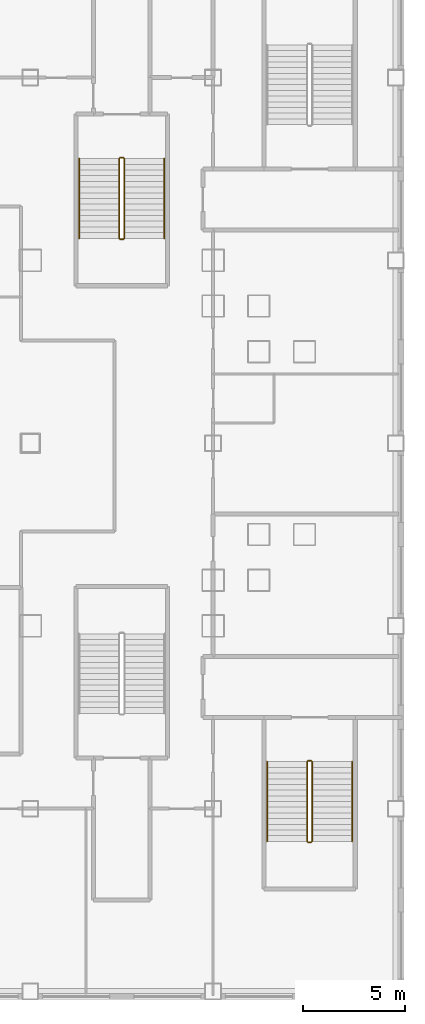
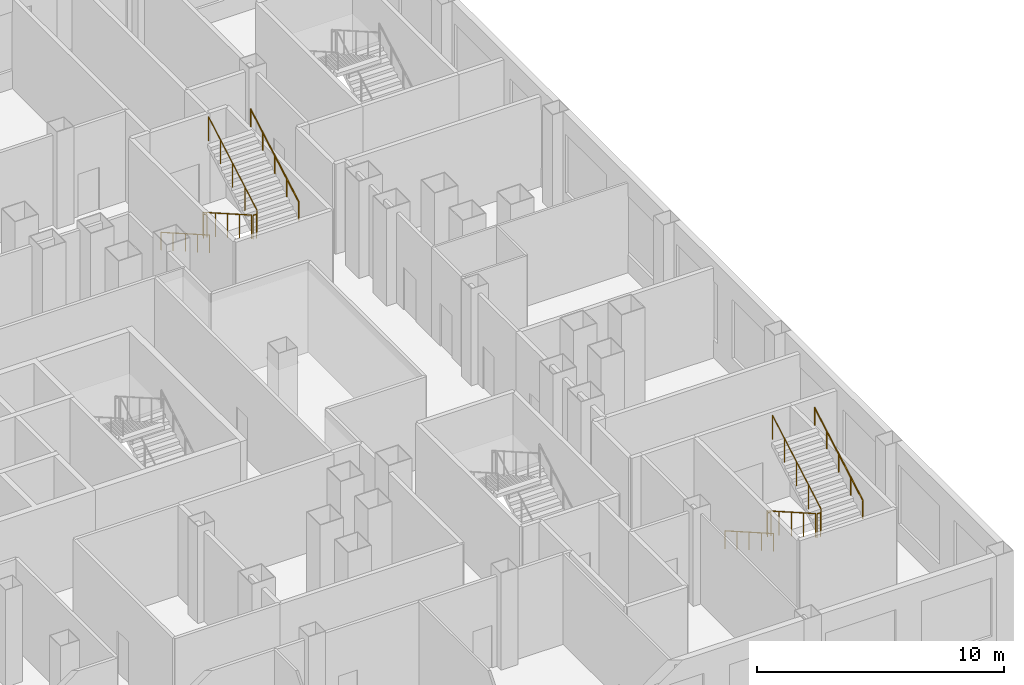
# One storey, part 22 of 23: 12 railings.
"""IFC4 building model written with IfcOpenShell, lengths in metres."""

from ifc_helpers import new_model, si_unit, direction, frame, origin, origin_2d, place, context, subcontext, project, spatial, circle, extrude, material, type_object, element, save


model = new_model("IFC4")

# Units and contexts
model_context = context("Model", 3, precision=1e-05, world=origin(), true_north=direction((0.0, 1.0)))
body_context = subcontext(model_context, "Body", "Model", "MODEL_VIEW")
ifc_project = project(units=[si_unit("LENGTHUNIT", "METRE"), si_unit("AREAUNIT", "SQUARE_METRE"), si_unit("VOLUMEUNIT", "CUBIC_METRE"), si_unit("PLANEANGLEUNIT", "RADIAN"), si_unit("MASSUNIT", "GRAM", prefix="KILO")], contexts=[model_context])

# Site, building, storey
site_placement = place(None, origin())
site = spatial("IfcSite", under=ifc_project, at=site_placement, CompositionType="ELEMENT")
building_placement = place(site_placement, origin())
building = spatial("IfcBuilding", under=site, at=building_placement, Name="Caravel Reach Hotel and Residences", CompositionType="ELEMENT")
storey_placement = place(building_placement, frame((0.0, 0.0, 24.0)))
storey = spatial("IfcBuildingStorey", under=building, at=storey_placement, Name="L04", CompositionType="ELEMENT", Elevation=24.0)

# Railings
ifc_material_1 = material(Name="Steel balustrade with glass infill", Category="steel")
railing_type_1 = type_object("IfcRailingType", Name="Guard 1200", PredefinedType="GUARDRAIL", material=ifc_material_1)
railing_1_placement = place(storey_placement, frame((53.875, 41.010009765625, 0.159912109375)))
element("IfcRailing", 1, at=railing_1_placement, inside=storey, type_object=railing_type_1, Name="L04 ST-P2 stair guard 1", PredefinedType="GUARDRAIL", context=body_context, shape_type="SweptSolid", body=[
    extrude(circle(Radius=0.02392578125, at=origin_2d()), frame((0.0, 0.0, 1.17578125), z_axis=(0.0, -0.868239814368, 0.496144761885), x_axis=(1.0, 0.0, 0.0)), (0.0, 0.0, 1.0), 4.514892578125),
    extrude(circle(Radius=0.02099609375, at=origin_2d()), origin(), (0.0, 0.0, 1.0), 1.15185546875),
    extrude(circle(Radius=0.02099609375, at=origin_2d()), frame((0.0, -0.97998046875, 0.56005859375)), (0.0, 0.0, 1.0), 1.15185546875),
    extrude(circle(Radius=0.02099609375, at=origin_2d()), frame((0.0, -1.9599609375, 1.1201171875)), (0.0, 0.0, 1.0), 1.15185546875),
    extrude(circle(Radius=0.02099609375, at=origin_2d()), frame((0.0, -2.93994140625, 1.679931640625)), (0.0, 0.0, 1.0), 1.15185546875),
    extrude(circle(Radius=0.02099609375, at=origin_2d()), frame((0.0, -3.919921875, 2.239990234375)), (0.0, 0.0, 1.0), 1.15185546875),
])
railing_2_placement = place(storey_placement, frame((53.925048828125, 37.0400390625, 2.39990234375)))
element("IfcRailing", 2, at=railing_2_placement, inside=storey, type_object=railing_type_1, Name="L04 ST-P2 stair guard 2", PredefinedType="GUARDRAIL", context=body_context, shape_type="SweptSolid", body=[
    extrude(circle(Radius=0.02392578125, at=origin_2d()), frame((0.0, 0.0, 1.17578125), z_axis=(1.0, 0.0, 0.0), x_axis=(0.0, 1.0, 0.0)), (0.0, 0.0, 1.0), 0.14990234375),
    extrude(circle(Radius=0.02099609375, at=origin_2d()), origin(), (0.0, 0.0, 1.0), 1.15185546875),
    extrude(circle(Radius=0.02099609375, at=origin_2d()), frame((0.14990234375, 0.0, 0.0)), (0.0, 0.0, 1.0), 1.15185546875),
])
railing_3_placement = place(storey_placement, frame((54.125, 37.090087890625, 2.56005859375)))
element("IfcRailing", 3, at=railing_3_placement, inside=storey, type_object=railing_type_1, Name="L04 ST-P2 stair guard 3", PredefinedType="GUARDRAIL", context=body_context, shape_type="SweptSolid", body=[
    extrude(circle(Radius=0.02392578125, at=origin_2d()), frame((0.0, 0.0, 1.17578125), z_axis=(0.0, 0.868239814368, 0.496144761885), x_axis=(-1.0, 0.0, 0.0)), (0.0, 0.0, 1.0), 4.514892578125),
    extrude(circle(Radius=0.02099609375, at=origin_2d()), origin(), (0.0, 0.0, 1.0), 1.15185546875),
    extrude(circle(Radius=0.02099609375, at=origin_2d()), frame((0.0, 0.97998046875, 0.56005859375)), (0.0, 0.0, 1.0), 1.15185546875),
    extrude(circle(Radius=0.02099609375, at=origin_2d()), frame((0.0, 1.9599609375, 1.1201171875)), (0.0, 0.0, 1.0), 1.15185546875),
    extrude(circle(Radius=0.02099609375, at=origin_2d()), frame((0.0, 2.93994140625, 1.679931640625)), (0.0, 0.0, 1.0), 1.15185546875),
    extrude(circle(Radius=0.02099609375, at=origin_2d()), frame((0.0, 3.919921875, 2.239990234375)), (0.0, 0.0, 1.0), 1.15185546875),
])
railing_4_placement = place(storey_placement, frame((53.925048828125, 41.06005859375, 0.0)))
element("IfcRailing", 4, at=railing_4_placement, inside=storey, type_object=railing_type_1, Name="L04 ST-P2 stair guard 4", PredefinedType="GUARDRAIL", context=body_context, shape_type="SweptSolid", body=[
    extrude(circle(Radius=0.02392578125, at=origin_2d()), frame((0.0, 0.0, 1.17578125), z_axis=(1.0, 0.0, 0.0), x_axis=(0.0, 1.0, 0.0)), (0.0, 0.0, 1.0), 0.14990234375),
    extrude(circle(Radius=0.02099609375, at=origin_2d()), origin(), (0.0, 0.0, 1.0), 1.15185546875),
    extrude(circle(Radius=0.02099609375, at=origin_2d()), frame((0.14990234375, 0.0, 0.0)), (0.0, 0.0, 1.0), 1.15185546875),
])
railing_5_placement = place(storey_placement, frame((63.125, 11.31005859375, 0.159912109375)))
element("IfcRailing", 5, at=railing_5_placement, inside=storey, type_object=railing_type_1, Name="L04 ST-P7 stair guard 1", PredefinedType="GUARDRAIL", context=body_context, shape_type="SweptSolid", body=[
    extrude(circle(Radius=0.02392578125, at=origin_2d()), frame((0.0, 0.0, 1.17578125), z_axis=(0.0, -0.86825312469, 0.496121468458), x_axis=(1.0, 0.0, 0.0)), (0.0, 0.0, 1.0), 4.514892578125),
    extrude(circle(Radius=0.02099609375, at=origin_2d()), origin(), (0.0, 0.0, 1.0), 1.15185546875),
    extrude(circle(Radius=0.02099609375, at=origin_2d()), frame((0.0, -0.97998046875, 0.56005859375)), (0.0, 0.0, 1.0), 1.15185546875),
    extrude(circle(Radius=0.02099609375, at=origin_2d()), frame((0.0, -1.9599609375, 1.1201171875)), (0.0, 0.0, 1.0), 1.15185546875),
    extrude(circle(Radius=0.02099609375, at=origin_2d()), frame((0.0, -2.940185546875, 1.679931640625)), (0.0, 0.0, 1.0), 1.15185546875),
    extrude(circle(Radius=0.02099609375, at=origin_2d()), frame((0.0, -3.920166015625, 2.239990234375)), (0.0, 0.0, 1.0), 1.15185546875),
])
railing_6_placement = place(storey_placement, frame((63.175048828125, 7.340087890625, 2.39990234375)))
element("IfcRailing", 6, at=railing_6_placement, inside=storey, type_object=railing_type_1, Name="L04 ST-P7 stair guard 2", PredefinedType="GUARDRAIL", context=body_context, shape_type="SweptSolid", body=[
    extrude(circle(Radius=0.02392578125, at=origin_2d()), frame((0.0, 0.0, 1.17578125), z_axis=(1.0, 0.0, 0.0), x_axis=(0.0, 1.0, 0.0)), (0.0, 0.0, 1.0), 0.14990234375),
    extrude(circle(Radius=0.02099609375, at=origin_2d()), origin(), (0.0, 0.0, 1.0), 1.15185546875),
    extrude(circle(Radius=0.02099609375, at=origin_2d()), frame((0.14990234375, 0.0, 0.0)), (0.0, 0.0, 1.0), 1.15185546875),
])
railing_7_placement = place(storey_placement, frame((63.375, 7.389892578125, 2.56005859375)))
element("IfcRailing", 7, at=railing_7_placement, inside=storey, type_object=railing_type_1, Name="L04 ST-P7 stair guard 3", PredefinedType="GUARDRAIL", context=body_context, shape_type="SweptSolid", body=[
    extrude(circle(Radius=0.02392578125, at=origin_2d()), frame((0.0, 0.0, 1.17578125), z_axis=(0.0, 0.86825312469, 0.496121468458), x_axis=(-1.0, 0.0, 0.0)), (0.0, 0.0, 1.0), 4.514892578125),
    extrude(circle(Radius=0.02099609375, at=origin_2d()), origin(), (0.0, 0.0, 1.0), 1.15185546875),
    extrude(circle(Radius=0.02099609375, at=origin_2d()), frame((0.0, 0.97998046875, 0.56005859375)), (0.0, 0.0, 1.0), 1.15185546875),
    extrude(circle(Radius=0.02099609375, at=origin_2d()), frame((0.0, 1.9599609375, 1.1201171875)), (0.0, 0.0, 1.0), 1.15185546875),
    extrude(circle(Radius=0.02099609375, at=origin_2d()), frame((0.0, 2.940185546875, 1.679931640625)), (0.0, 0.0, 1.0), 1.15185546875),
    extrude(circle(Radius=0.02099609375, at=origin_2d()), frame((0.0, 3.920166015625, 2.239990234375)), (0.0, 0.0, 1.0), 1.15185546875),
])
railing_8_placement = place(storey_placement, frame((63.175048828125, 11.360107421875, 0.0)))
element("IfcRailing", 8, at=railing_8_placement, inside=storey, type_object=railing_type_1, Name="L04 ST-P7 stair guard 4", PredefinedType="GUARDRAIL", context=body_context, shape_type="SweptSolid", body=[
    extrude(circle(Radius=0.02392578125, at=origin_2d()), frame((0.0, 0.0, 1.17578125), z_axis=(1.0, 0.0, 0.0), x_axis=(0.0, 1.0, 0.0)), (0.0, 0.0, 1.0), 0.14990234375),
    extrude(circle(Radius=0.02099609375, at=origin_2d()), origin(), (0.0, 0.0, 1.0), 1.15185546875),
    extrude(circle(Radius=0.02099609375, at=origin_2d()), frame((0.14990234375, 0.0, 0.0)), (0.0, 0.0, 1.0), 1.15185546875),
])
ifc_material_2 = material(Name="Stainless steel handrail", Category="steel")
railing_type_2 = type_object("IfcRailingType", Name="Handrail 900", PredefinedType="HANDRAIL", material=ifc_material_2)
railing_9_placement = place(storey_placement, frame((51.905029296875, 41.010009765625, 0.159912109375)))
element("IfcRailing", 9, at=railing_9_placement, inside=storey, type_object=railing_type_2, Name="L04 ST-P2 stair handrail 1", PredefinedType="HANDRAIL", context=body_context, shape_type="SweptSolid", body=[
    extrude(circle(Radius=0.02392578125, at=origin_2d()), frame((0.0, 0.0, 0.8759765625), z_axis=(0.0, -0.868239814368, 0.496144761885), x_axis=(1.0, 0.0, 0.0)), (0.0, 0.0, 1.0), 4.514892578125),
    extrude(circle(Radius=0.02099609375, at=origin_2d()), origin(), (0.0, 0.0, 1.0), 0.851806640625),
    extrude(circle(Radius=0.02099609375, at=origin_2d()), frame((0.0, -0.97998046875, 0.56005859375)), (0.0, 0.0, 1.0), 0.851806640625),
    extrude(circle(Radius=0.02099609375, at=origin_2d()), frame((0.0, -1.9599609375, 1.1201171875)), (0.0, 0.0, 1.0), 0.851806640625),
    extrude(circle(Radius=0.02099609375, at=origin_2d()), frame((0.0, -2.93994140625, 1.679931640625)), (0.0, 0.0, 1.0), 0.851806640625),
    extrude(circle(Radius=0.02099609375, at=origin_2d()), frame((0.0, -3.919921875, 2.239990234375)), (0.0, 0.0, 1.0), 0.851806640625),
])
railing_10_placement = place(storey_placement, frame((56.094970703125, 37.090087890625, 2.56005859375)))
element("IfcRailing", 10, at=railing_10_placement, inside=storey, type_object=railing_type_2, Name="L04 ST-P2 stair handrail 2", PredefinedType="HANDRAIL", context=body_context, shape_type="SweptSolid", body=[
    extrude(circle(Radius=0.02392578125, at=origin_2d()), frame((0.0, 0.0, 0.8759765625), z_axis=(0.0, 0.868239814368, 0.496144761885), x_axis=(-1.0, 0.0, 0.0)), (0.0, 0.0, 1.0), 4.514892578125),
    extrude(circle(Radius=0.02099609375, at=origin_2d()), origin(), (0.0, 0.0, 1.0), 0.851806640625),
    extrude(circle(Radius=0.02099609375, at=origin_2d()), frame((0.0, 0.97998046875, 0.56005859375)), (0.0, 0.0, 1.0), 0.851806640625),
    extrude(circle(Radius=0.02099609375, at=origin_2d()), frame((0.0, 1.9599609375, 1.1201171875)), (0.0, 0.0, 1.0), 0.851806640625),
    extrude(circle(Radius=0.02099609375, at=origin_2d()), frame((0.0, 2.93994140625, 1.679931640625)), (0.0, 0.0, 1.0), 0.851806640625),
    extrude(circle(Radius=0.02099609375, at=origin_2d()), frame((0.0, 3.919921875, 2.239990234375)), (0.0, 0.0, 1.0), 0.851806640625),
])
railing_11_placement = place(storey_placement, frame((61.155029296875, 11.31005859375, 0.159912109375)))
element("IfcRailing", 11, at=railing_11_placement, inside=storey, type_object=railing_type_2, Name="L04 ST-P7 stair handrail 1", PredefinedType="HANDRAIL", context=body_context, shape_type="SweptSolid", body=[
    extrude(circle(Radius=0.02392578125, at=origin_2d()), frame((0.0, 0.0, 0.8759765625), z_axis=(0.0, -0.86825312469, 0.496121468458), x_axis=(1.0, 0.0, 0.0)), (0.0, 0.0, 1.0), 4.514892578125),
    extrude(circle(Radius=0.02099609375, at=origin_2d()), origin(), (0.0, 0.0, 1.0), 0.851806640625),
    extrude(circle(Radius=0.02099609375, at=origin_2d()), frame((0.0, -0.97998046875, 0.56005859375)), (0.0, 0.0, 1.0), 0.851806640625),
    extrude(circle(Radius=0.02099609375, at=origin_2d()), frame((0.0, -1.9599609375, 1.1201171875)), (0.0, 0.0, 1.0), 0.851806640625),
    extrude(circle(Radius=0.02099609375, at=origin_2d()), frame((0.0, -2.940185546875, 1.679931640625)), (0.0, 0.0, 1.0), 0.851806640625),
    extrude(circle(Radius=0.02099609375, at=origin_2d()), frame((0.0, -3.920166015625, 2.239990234375)), (0.0, 0.0, 1.0), 0.851806640625),
])
railing_12_placement = place(storey_placement, frame((65.344970703125, 7.389892578125, 2.56005859375)))
element("IfcRailing", 12, at=railing_12_placement, inside=storey, type_object=railing_type_2, Name="L04 ST-P7 stair handrail 2", PredefinedType="HANDRAIL", context=body_context, shape_type="SweptSolid", body=[
    extrude(circle(Radius=0.02392578125, at=origin_2d()), frame((0.0, 0.0, 0.8759765625), z_axis=(0.0, 0.86825312469, 0.496121468458), x_axis=(-1.0, 0.0, 0.0)), (0.0, 0.0, 1.0), 4.514892578125),
    extrude(circle(Radius=0.02099609375, at=origin_2d()), origin(), (0.0, 0.0, 1.0), 0.851806640625),
    extrude(circle(Radius=0.02099609375, at=origin_2d()), frame((0.0, 0.97998046875, 0.56005859375)), (0.0, 0.0, 1.0), 0.851806640625),
    extrude(circle(Radius=0.02099609375, at=origin_2d()), frame((0.0, 1.9599609375, 1.1201171875)), (0.0, 0.0, 1.0), 0.851806640625),
    extrude(circle(Radius=0.02099609375, at=origin_2d()), frame((0.0, 2.940185546875, 1.679931640625)), (0.0, 0.0, 1.0), 0.851806640625),
    extrude(circle(Radius=0.02099609375, at=origin_2d()), frame((0.0, 3.920166015625, 2.239990234375)), (0.0, 0.0, 1.0), 0.851806640625),
])

save(model, "model.ifc")
